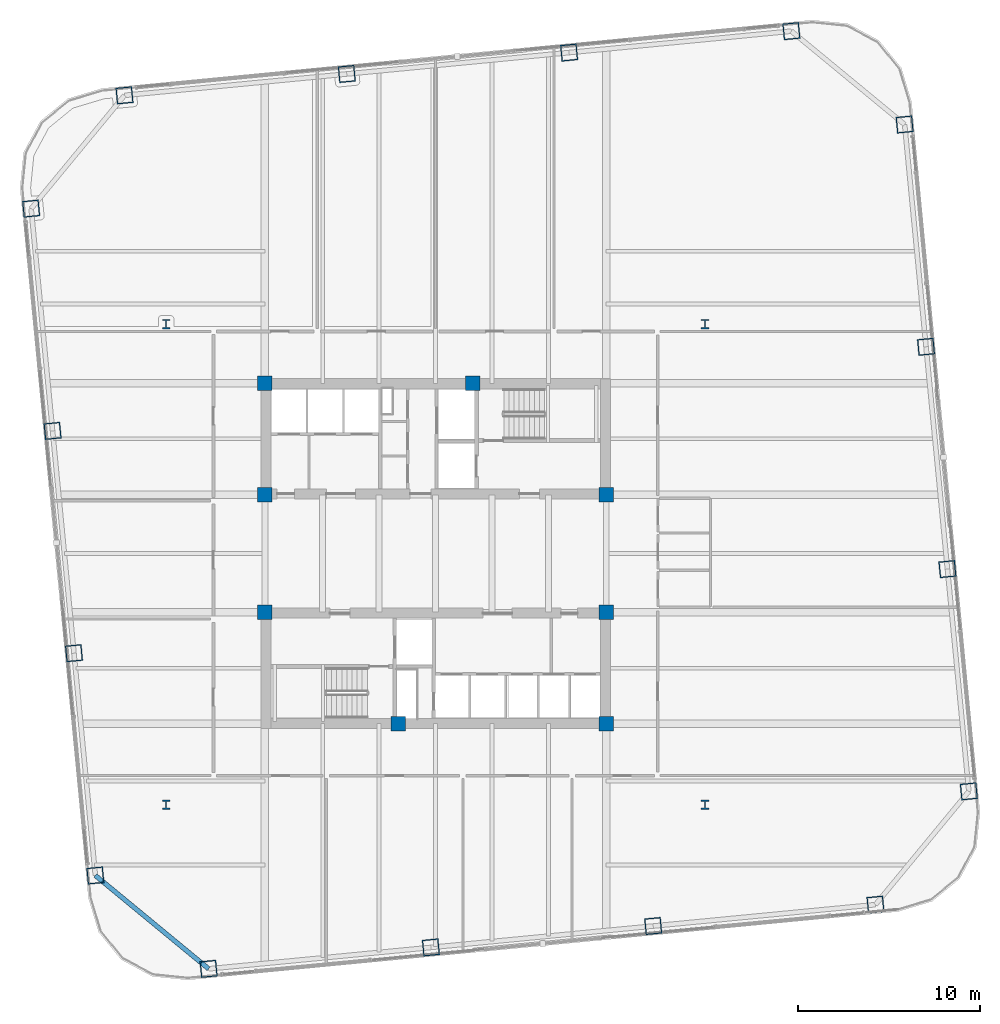
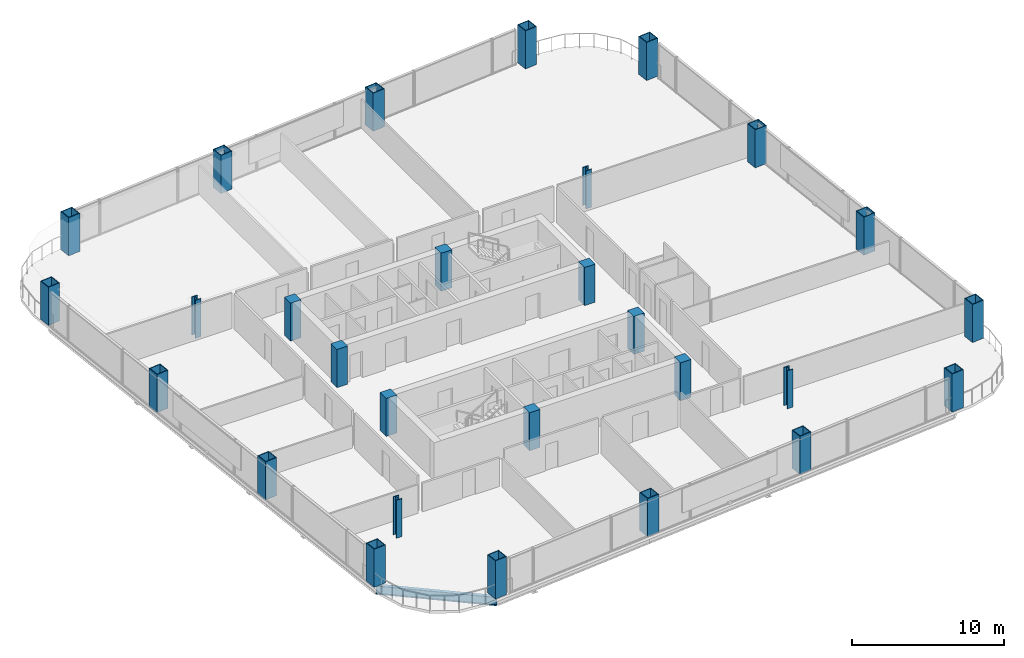
# One storey, part 1 of 28: 28 columns, 1 beam.
"""IFC4 building model written with IfcOpenShell, lengths in metres."""

from ifc_helpers import new_model, si_unit, direction, frame, origin, origin_2d, place, context, subcontext, project, spatial, rectangle, hollow_rectangle, i_section, extrude, material, material_profile, profile_set, type_object, element, save


model = new_model("IFC4")

# Units and contexts
model_context = context("Model", 3, precision=1e-05, world=origin(), true_north=direction((0.0, 1.0)))
body_context = subcontext(model_context, "Body", "Model", "MODEL_VIEW")
ifc_project = project(units=[si_unit("LENGTHUNIT", "METRE"), si_unit("AREAUNIT", "SQUARE_METRE"), si_unit("VOLUMEUNIT", "CUBIC_METRE"), si_unit("PLANEANGLEUNIT", "RADIAN"), si_unit("MASSUNIT", "GRAM", prefix="KILO")], contexts=[model_context])

# Site, building, storey
site_placement = place(None, origin())
site = spatial("IfcSite", under=ifc_project, at=site_placement, CompositionType="ELEMENT")
building_placement = place(site_placement, origin())
building = spatial("IfcBuilding", under=site, at=building_placement, Name="Qhalaya Broadcast Tower", CompositionType="ELEMENT")
storey_placement = place(building_placement, frame((0.0, 0.0, 90.800048828125)))
storey = spatial("IfcBuildingStorey", under=building, at=storey_placement, Name="L26", CompositionType="ELEMENT", Elevation=90.800048828125)

# Columns
ifc_material_1 = material(Name="Concrete C50/60", Category="concrete")
ifc_material_profile_1 = material_profile(ifc_material_1, rectangle(XDim=0.800048828125, YDim=0.800048828125, at=origin_2d()), Name="RC-COL 800x800")
ifc_profile_set_1 = profile_set([ifc_material_profile_1], Name="Concrete C50/60")
column_type_1 = type_object("IfcColumnType", Name="RC Upper Column C10", PredefinedType="COLUMN", material=ifc_profile_set_1)
for number, where, z_axis, x_axis, name in (
    (1, (-9.375, 9.949951171875, 0.0), (0.0, 0.0, 1.0), (1.0, 0.0, 0.0), "L26 Column COL-CC1"),
    (2, (2.050048828125, 9.949951171875, 0.0), (0.0, 0.0, 1.0), (1.0, 0.0, 0.0), "L26 Column COL-CC2"),
    (3, (-9.375, 3.824951171875, 0.0), (0.0, 0.0, 1.0), (1.0, 0.0, 0.0), "L26 Column COL-CC3"),
    (4, (9.375, 3.824951171875, 0.0), (0.0, 0.0, 1.0), (1.0, 0.0, 0.0), "L26 Column COL-CC4"),
    (5, (-9.375, -2.625, 0.0), (0.0, 0.0, 1.0), (1.0, 0.0, 0.0), "L26 Column COL-CC5"),
    (6, (9.375, -2.625, 0.0), (0.0, 0.0, 1.0), (1.0, 0.0, 0.0), "L26 Column COL-CC6"),
    (7, (-2.050048828125, -8.75, 0.0), (0.0, 0.0, 1.0), (1.0, 0.0, 0.0), "L26 Column COL-CC7"),
    (8, (9.375, -8.75, 0.0), (0.0, 0.0, 1.0), (1.0, 0.0, 0.0), "L26 Column COL-CC8"),
):
    element("IfcColumn", number, at=place(storey_placement, frame(where, z_axis=z_axis, x_axis=x_axis)), inside=storey, type_object=column_type_1, Name=name, PredefinedType="COLUMN", context=body_context, shape_type="SweptSolid", body=[
        extrude(rectangle(XDim=0.800048828125, YDim=0.800048828125, at=origin_2d()), origin(), (0.0, 0.0, 1.0), 3.050048828125),
    ])
ifc_material_2 = material(Name="Structural Steel ASTM A992 Grade 50", Category="steel")
ifc_material_profile_2 = material_profile(ifc_material_2, i_section(OverallWidth=0.41796875, OverallDepth=0.510009765625, WebThickness=0.0419921875, FlangeThickness=0.067626953125, at=origin_2d()), Name="W14X370")
ifc_profile_set_2 = profile_set([ifc_material_profile_2], Name="Structural Steel ASTM A992 Grade 50")
column_type_2 = type_object("IfcColumnType", Name="Rolled Gravity Column C06", PredefinedType="COLUMN", material=ifc_profile_set_2)
for number, where, z_axis, x_axis, name in (
    (9, (-14.800048828125, -13.199951171875, 0.0), (0.0, 0.0, 1.0), (1.0, 0.0, 0.0), "L26 Column COL-GR1"),
    (10, (14.800048828125, -13.199951171875, 0.0), (0.0, 0.0, 1.0), (1.0, 0.0, 0.0), "L26 Column COL-GR2"),
    (11, (-14.800048828125, 13.199951171875, 0.0), (0.0, 0.0, 1.0), (1.0, 0.0, 0.0), "L26 Column COL-GR3"),
    (12, (14.800048828125, 13.199951171875, 0.0), (0.0, 0.0, 1.0), (1.0, 0.0, 0.0), "L26 Column COL-GR4"),
):
    element("IfcColumn", number, at=place(storey_placement, frame(where, z_axis=z_axis, x_axis=x_axis)), inside=storey, type_object=column_type_2, Name=name, PredefinedType="COLUMN", context=body_context, shape_type="SweptSolid", body=[
        extrude(i_section(OverallWidth=0.41796875, OverallDepth=0.510009765625, WebThickness=0.0419921875, FlangeThickness=0.067626953125, at=origin_2d()), origin(), (0.0, 0.0, 1.0), 3.050048828125),
    ])
ifc_material_3 = material(Name="Structural Steel ASTM A572 Grade 50", Category="steel")
ifc_material_profile_3 = material_profile(ifc_material_3, hollow_rectangle(XDim=0.89990234375, YDim=0.89990234375, WallThickness=0.054931640625, at=origin_2d()), Name="BOX 900x900x55")
ifc_profile_set_3 = profile_set([ifc_material_profile_3], Name="Structural Steel ASTM A572 Grade 50")
column_type_3 = type_object("IfcColumnType", Name="Steel Box Column C02", PredefinedType="COLUMN", material=ifc_profile_set_3)
for number, where, z_axis, x_axis, name in (
    (13, (-12.46533203125, -22.212646484375, 0.0), (0.0, 0.0, 1.0), (0.995396198367, 0.09584575252, 0.0), "L26 Column COL-EX01"),
    (14, (-0.255126953125, -21.036865234375, 0.0), (0.0, 0.0, 1.0), (0.995396198367, 0.09584575252, 0.0), "L26 Column COL-EX02"),
    (15, (11.955078125, -19.861083984375, 0.0), (0.0, 0.0, 1.0), (0.995396198367, 0.09584575252, 0.0), "L26 Column COL-EX03"),
    (16, (24.165283203125, -18.685546875, 0.0), (0.0, 0.0, 1.0), (0.995396198367, 0.09584575252, 0.0), "L26 Column COL-EX04"),
    (17, (29.29248046875, -12.46533203125, 0.0), (0.0, 0.0, 1.0), (-0.09584575252, 0.995396198367, 0.0), "L26 Column COL-EX05"),
    (18, (28.116943359375, -0.255126953125, 0.0), (0.0, 0.0, 1.0), (-0.09584575252, 0.995396198367, 0.0), "L26 Column COL-EX06"),
    (19, (26.941162109375, 11.955078125, 0.0), (0.0, 0.0, 1.0), (-0.09584575252, 0.995396198367, 0.0), "L26 Column COL-EX07"),
    (20, (25.765380859375, 24.165283203125, 0.0), (0.0, 0.0, 1.0), (-0.09584575252, 0.995396198367, 0.0), "L26 Column COL-EX08"),
    (21, (19.54541015625, 29.29248046875, 0.0), (0.0, 0.0, 1.0), (0.995396198367, 0.09584575252, 0.0), "L26 Column COL-EX09"),
    (22, (7.335205078125, 28.116943359375, 0.0), (0.0, 0.0, 1.0), (0.995396198367, 0.09584575252, 0.0), "L26 Column COL-EX10"),
    (23, (-4.875, 26.941162109375, 0.0), (0.0, 0.0, 1.0), (0.995396198367, 0.09584575252, 0.0), "L26 Column COL-EX11"),
    (24, (-17.085205078125, 25.765380859375, 0.0), (0.0, 0.0, 1.0), (0.995396198367, 0.09584575252, 0.0), "L26 Column COL-EX12"),
    (25, (-22.212646484375, 19.54541015625, 0.0), (0.0, 0.0, 1.0), (-0.09584575252, 0.995396198367, 0.0), "L26 Column COL-EX13"),
    (26, (-21.036865234375, 7.335205078125, 0.0), (0.0, 0.0, 1.0), (-0.09584575252, 0.995396198367, 0.0), "L26 Column COL-EX14"),
    (27, (-19.861083984375, -4.875, 0.0), (0.0, 0.0, 1.0), (-0.09584575252, 0.995396198367, 0.0), "L26 Column COL-EX15"),
    (28, (-18.685546875, -17.085205078125, 0.0), (0.0, 0.0, 1.0), (-0.09584575252, 0.995396198367, 0.0), "L26 Column COL-EX16"),
):
    element("IfcColumn", number, at=place(storey_placement, frame(where, z_axis=z_axis, x_axis=x_axis)), inside=storey, type_object=column_type_3, Name=name, PredefinedType="COLUMN", context=body_context, shape_type="SweptSolid", body=[
        extrude(hollow_rectangle(XDim=0.89990234375, YDim=0.89990234375, WallThickness=0.054931640625, at=origin_2d()), origin(), (0.0, 0.0, 1.0), 3.050048828125),
    ])

# Beam
ifc_material_profile_4 = material_profile(ifc_material_2, i_section(OverallWidth=0.25390625, OverallDepth=0.68310546875, WebThickness=0.012451171875, FlangeThickness=0.01904296875, at=origin_2d()), Name="W27X94")
ifc_profile_set_4 = profile_set([ifc_material_profile_4], Name="Structural Steel ASTM A992 Grade 50")
beam_type = type_object("IfcBeamType", Name="Perimeter Ring Spandrel Beam SP1", PredefinedType="SPANDREL", material=ifc_profile_set_4)
beam_placement = place(storey_placement, frame((-18.685546875, -17.085205078125, -0.5615234375), z_axis=(0.771631160126, -0.636070241972, 0.0), x_axis=(0.636070241972, 0.771631160126, 0.0)))
element("IfcBeam", 29, at=beam_placement, inside=storey, type_object=beam_type, Name="L26 SP1 L26-SPR-16", PredefinedType="SPANDREL", context=body_context, shape_type="SweptSolid", body=[
    extrude(i_section(OverallWidth=0.25390625, OverallDepth=0.68310546875, WebThickness=0.012451171875, FlangeThickness=0.01904296875, at=origin_2d()), origin(), (0.0, 0.0, 1.0), 8.06103515625),
])

save(model, "model.ifc")
